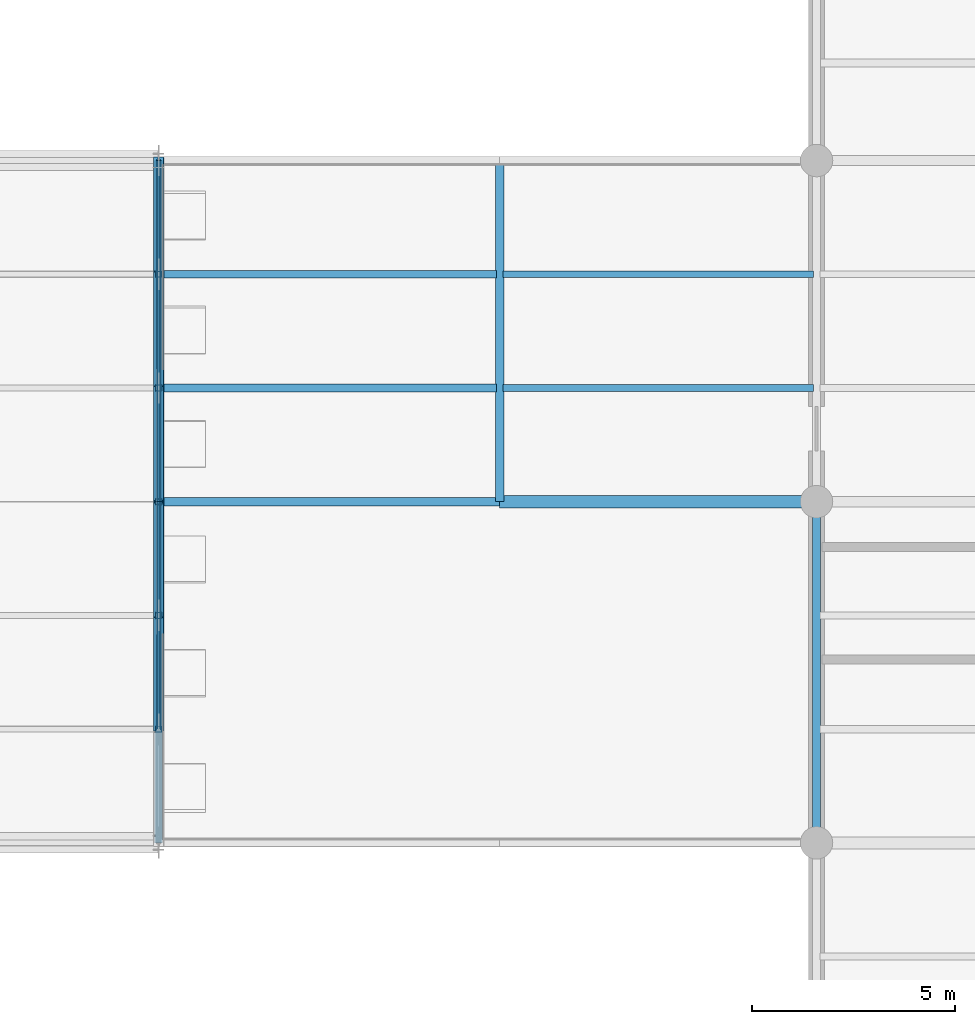
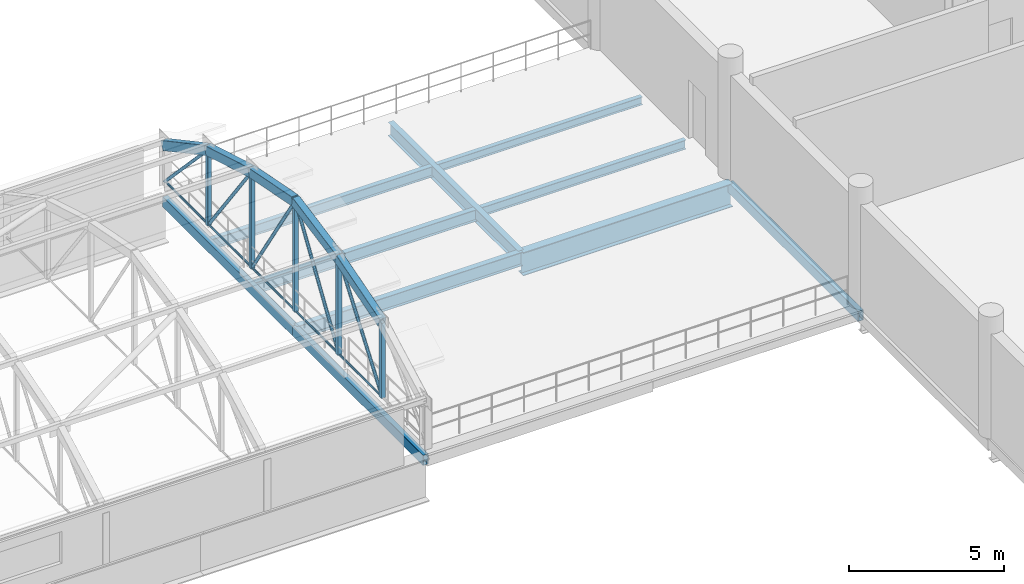
# One storey, part 48 of 109: 15 beams, 15 members.
"""IFC4 building model written with IfcOpenShell, lengths in metres."""

from ifc_helpers import new_model, si_unit, direction, frame, origin_with_axes, origin_2d_with_axis, place, context, subcontext, project, spatial, hollow_rectangle, circle, hollow_circle, i_section, extrude, material, material_profile, profile_set, type_object, element, save


model = new_model("IFC4")

# Units and contexts
model_context = context("Model", 3, precision=1e-05, world=origin_with_axes(), true_north=direction((0.0, 1.0)))
body_context = subcontext(model_context, "Body", "Model", "MODEL_VIEW")
ifc_project = project(units=[si_unit("LENGTHUNIT", "METRE"), si_unit("AREAUNIT", "SQUARE_METRE"), si_unit("VOLUMEUNIT", "CUBIC_METRE"), si_unit("PLANEANGLEUNIT", "RADIAN"), si_unit("MASSUNIT", "GRAM", prefix="KILO"), si_unit("THERMODYNAMICTEMPERATUREUNIT", "KELVIN")], contexts=[model_context])

# Site, building, storey
site_placement = place(None, origin_with_axes())
site = spatial("IfcSite", under=ifc_project, at=site_placement, CompositionType="ELEMENT")
building_placement = place(site_placement, origin_with_axes())
building = spatial("IfcBuilding", under=site, at=building_placement, Name="Montbau Bow Law Courts", CompositionType="ELEMENT")
storey_placement = place(building_placement, frame((0.0, 0.0, 10.8), z_axis=(0.0, 0.0, 1.0), x_axis=(1.0, 0.0, 0.0)))
storey = spatial("IfcBuildingStorey", under=building, at=storey_placement, Name="L02", CompositionType="ELEMENT", Elevation=10.8)

# Beams
ifc_material_1 = material(Name="Steel CSA G40.21 Grade 350WT (350 MPa)", Category="steel")
ifc_material_profile_1 = material_profile(ifc_material_1, hollow_rectangle(XDim=0.254, YDim=0.356, WallThickness=0.0127, InnerFilletRadius=0.0254, OuterFilletRadius=0.0127, at=origin_2d_with_axis()), Name="HSS356X254X13", Category="Main", Priority=0)
ifc_profile_set_1 = profile_set([ifc_material_profile_1], Name="Steel CSA G40.21 Grade 350WT (350 MPa)")
beam_type_1 = type_object("IfcBeamType", Name="B-ARC-01", PredefinedType="USERDEFINED", material=ifc_profile_set_1)
beam_1_placement = place(None, frame((105.6, 25.0, 14.005), z_axis=(0.0, 0.958856822, 0.283890109), x_axis=(-1.0, 0.0, 0.0)))
element("IfcBeam", 1, at=beam_1_placement, inside=storey, type_object=beam_type_1, Name="Barrel vault roof truss arch rib V4-092", ObjectType="ARCH_RIB", PredefinedType="USERDEFINED", context=body_context, shape_type="SweptSolid", body=[
    extrude(hollow_rectangle(XDim=0.254, YDim=0.356, WallThickness=0.0127, InnerFilletRadius=0.0254, OuterFilletRadius=0.0127, at=origin_2d_with_axis()), origin_with_axes(), (0.0, 0.0, 1.0), 2.920144),
])
for number, where, z_axis, x_axis, name in (
    (2, (105.6, 27.8, 14.834), (0.0, 0.981513084, 0.191395051), (-1.0, 0.0, 0.0), "Barrel vault roof truss arch rib V4-093"),
    (3, (105.6, 30.6, 15.38), (0.0, 0.981513084, -0.191395051), (-1.0, 0.0, 0.0), "Barrel vault roof truss arch rib V4-094"),
):
    element("IfcBeam", number, at=place(None, frame(where, z_axis=z_axis, x_axis=x_axis)), inside=storey, type_object=beam_type_1, Name=name, ObjectType="ARCH_RIB", PredefinedType="USERDEFINED", context=body_context, shape_type="SweptSolid", body=[
        extrude(hollow_rectangle(XDim=0.254, YDim=0.356, WallThickness=0.0127, InnerFilletRadius=0.0254, OuterFilletRadius=0.0127, at=origin_2d_with_axis()), origin_with_axes(), (0.0, 0.0, 1.0), 2.852738),
    ])
beam_2_placement = place(None, frame((105.6, 33.4, 14.834), z_axis=(0.0, 0.958856822, -0.283890109), x_axis=(-1.0, 0.0, 0.0)))
element("IfcBeam", 4, at=beam_2_placement, inside=storey, type_object=beam_type_1, Name="Barrel vault roof truss arch rib V4-095", ObjectType="ARCH_RIB", PredefinedType="USERDEFINED", context=body_context, shape_type="SweptSolid", body=[
    extrude(hollow_rectangle(XDim=0.254, YDim=0.356, WallThickness=0.0127, InnerFilletRadius=0.0254, OuterFilletRadius=0.0127, at=origin_2d_with_axis()), origin_with_axes(), (0.0, 0.0, 1.0), 2.920144),
])
beam_3_placement = place(None, frame((105.6, 36.2, 14.005), z_axis=(0.0, 0.880824397, -0.473443113), x_axis=(-1.0, 0.0, 0.0)))
element("IfcBeam", 5, at=beam_3_placement, inside=storey, type_object=beam_type_1, Name="Barrel vault roof truss arch rib V4-096", ObjectType="ARCH_RIB", PredefinedType="USERDEFINED", context=body_context, shape_type="SweptSolid", body=[
    extrude(hollow_rectangle(XDim=0.254, YDim=0.356, WallThickness=0.0127, InnerFilletRadius=0.0254, OuterFilletRadius=0.0127, at=origin_2d_with_axis()), origin_with_axes(), (0.0, 0.0, 1.0), 3.17884),
])
ifc_material_2 = material(Name="Steel CSA G40.21 Grade 350W (350 MPa)", Category="steel")
ifc_material_profile_2 = material_profile(ifc_material_2, i_section(OverallWidth=0.306, OverallDepth=0.919, WebThickness=0.0173, FlangeThickness=0.0279, at=origin_2d_with_axis()), Name="W920X253", Category="Main", Priority=0)
ifc_profile_set_2 = profile_set([ifc_material_profile_2], Name="Steel CSA G40.21 Grade 350W (350 MPa)")
beam_type_2 = type_object("IfcBeamType", Name="B-FLR-01", PredefinedType="BEAM", material=ifc_profile_set_2)
beam_4_placement = place(None, frame((114.0, 30.6, 10.021), z_axis=(1.0, 0.0, 0.0), x_axis=(0.0, 1.0, 0.0)))
element("IfcBeam", 6, at=beam_4_placement, inside=storey, type_object=beam_type_2, Name="BM-L02-S0480:bm2_0483", PredefinedType="BEAM", context=body_context, shape_type="SweptSolid", body=[
    extrude(i_section(OverallWidth=0.306, OverallDepth=0.919, WebThickness=0.0173, FlangeThickness=0.0279, at=origin_2d_with_axis()), origin_with_axes(), (0.0, 0.0, 1.0), 7.8),
])
ifc_material_profile_3 = material_profile(ifc_material_2, i_section(OverallWidth=0.21, OverallDepth=0.537, WebThickness=0.0109, FlangeThickness=0.0174, at=origin_2d_with_axis()), Name="W530X101", Category="Main", Priority=0)
ifc_profile_set_3 = profile_set([ifc_material_profile_3], Name="Steel CSA G40.21 Grade 350W (350 MPa)")
beam_type_3 = type_object("IfcBeamType", Name="B-FLR-06", PredefinedType="BEAM", material=ifc_profile_set_3)
for number, where, z_axis, x_axis, name in (
    (7, (105.6, 30.6, 10.212), (1.0, 0.0, 0.0), (0.0, 1.0, 0.0), "BM-L02-S0479:bm2_0482"),
    (8, (114.0, 30.6, 10.212), (0.0, 1.0, 0.0), (-1.0, 0.0, 0.0), "BM-L02-S0485:bm2_0488"),
):
    element("IfcBeam", number, at=place(None, frame(where, z_axis=z_axis, x_axis=x_axis)), inside=storey, type_object=beam_type_3, Name=name, PredefinedType="BEAM", context=body_context, shape_type="SweptSolid", body=[
        extrude(i_section(OverallWidth=0.21, OverallDepth=0.537, WebThickness=0.0109, FlangeThickness=0.0174, at=origin_2d_with_axis()), origin_with_axes(), (0.0, 0.0, 1.0), 8.4),
    ])
ifc_material_profile_4 = material_profile(ifc_material_2, i_section(OverallWidth=0.191, OverallDepth=0.46, WebThickness=0.0099, FlangeThickness=0.016, at=origin_2d_with_axis()), Name="W460X82", Category="Main", Priority=0)
ifc_profile_set_4 = profile_set([ifc_material_profile_4], Name="Steel CSA G40.21 Grade 350W (350 MPa)")
beam_type_4 = type_object("IfcBeamType", Name="B-JST-01", PredefinedType="JOIST", material=ifc_profile_set_4)
beam_5_placement = place(None, frame((105.68, 33.4, 10.25), z_axis=(1.0, 0.0, 0.0), x_axis=(0.0, 1.0, 0.0)))
element("IfcBeam", 9, at=beam_5_placement, inside=storey, type_object=beam_type_4, Name="JST-L02-S0232:jst2_0232", PredefinedType="JOIST", context=body_context, shape_type="SweptSolid", body=[
    extrude(i_section(OverallWidth=0.191, OverallDepth=0.46, WebThickness=0.0099, FlangeThickness=0.016, at=origin_2d_with_axis()), origin_with_axes(), (0.0, 0.0, 1.0), 8.239),
])
ifc_material_profile_5 = material_profile(ifc_material_2, i_section(OverallWidth=0.179, OverallDepth=0.41, WebThickness=0.0088, FlangeThickness=0.0144, at=origin_2d_with_axis()), Name="W410X67", Category="Main", Priority=0)
ifc_profile_set_5 = profile_set([ifc_material_profile_5], Name="Steel CSA G40.21 Grade 350W (350 MPa)")
beam_type_5 = type_object("IfcBeamType", Name="B-JST-02", PredefinedType="JOIST", material=ifc_profile_set_5)
beam_6_placement = place(None, frame((105.68, 36.2, 10.275), z_axis=(1.0, 0.0, 0.0), x_axis=(0.0, 1.0, 0.0)))
element("IfcBeam", 10, at=beam_6_placement, inside=storey, type_object=beam_type_5, Name="JST-L02-S0233:jst2_0233", PredefinedType="JOIST", context=body_context, shape_type="SweptSolid", body=[
    extrude(i_section(OverallWidth=0.179, OverallDepth=0.41, WebThickness=0.0088, FlangeThickness=0.0144, at=origin_2d_with_axis()), origin_with_axes(), (0.0, 0.0, 1.0), 8.239),
])
ifc_material_profile_6 = material_profile(ifc_material_2, i_section(OverallWidth=0.172, OverallDepth=0.358, WebThickness=0.0079, FlangeThickness=0.0131, at=origin_2d_with_axis()), Name="W360X57", Category="Main", Priority=0)
ifc_profile_set_6 = profile_set([ifc_material_profile_6], Name="Steel CSA G40.21 Grade 350W (350 MPa)")
beam_type_6 = type_object("IfcBeamType", Name="B-JST-03", PredefinedType="JOIST", material=ifc_profile_set_6)
beam_7_placement = place(None, frame((114.081, 33.4, 10.301), z_axis=(1.0, 0.0, 0.0), x_axis=(0.0, 1.0, 0.0)))
element("IfcBeam", 11, at=beam_7_placement, inside=storey, type_object=beam_type_6, Name="JST-L02-S0234:jst2_0234", PredefinedType="JOIST", context=body_context, shape_type="SweptSolid", body=[
    extrude(i_section(OverallWidth=0.172, OverallDepth=0.358, WebThickness=0.0079, FlangeThickness=0.0131, at=origin_2d_with_axis()), origin_with_axes(), (0.0, 0.0, 1.0), 7.639),
])
ifc_material_profile_7 = material_profile(ifc_material_2, i_section(OverallWidth=0.166, OverallDepth=0.313, WebThickness=0.0066, FlangeThickness=0.0112, at=origin_2d_with_axis()), Name="W310X45", Category="Main", Priority=0)
ifc_profile_set_7 = profile_set([ifc_material_profile_7], Name="Steel CSA G40.21 Grade 350W (350 MPa)")
beam_type_7 = type_object("IfcBeamType", Name="B-JST-04", PredefinedType="JOIST", material=ifc_profile_set_7)
beam_8_placement = place(None, frame((114.081, 36.2, 10.324), z_axis=(1.0, 0.0, 0.0), x_axis=(0.0, 1.0, 0.0)))
element("IfcBeam", 12, at=beam_8_placement, inside=storey, type_object=beam_type_7, Name="JST-L02-S0235:jst2_0235", PredefinedType="JOIST", context=body_context, shape_type="SweptSolid", body=[
    extrude(i_section(OverallWidth=0.166, OverallDepth=0.313, WebThickness=0.0066, FlangeThickness=0.0112, at=origin_2d_with_axis()), origin_with_axes(), (0.0, 0.0, 1.0), 7.639),
])
ifc_material_profile_8 = material_profile(ifc_material_1, hollow_rectangle(XDim=0.203, YDim=0.406, WallThickness=0.0127, InnerFilletRadius=0.0254, OuterFilletRadius=0.0127, at=origin_2d_with_axis()), Name="HSS406X203X13", Category="Main", Priority=0)
ifc_profile_set_8 = profile_set([ifc_material_profile_8], Name="Steel CSA G40.21 Grade 350WT (350 MPa)")
beam_type_8 = type_object("IfcBeamType", Name="B-SPN-01", PredefinedType="SPANDREL", material=ifc_profile_set_8)
for number, where, z_axis, x_axis, name in (
    (13, (105.6, 22.2, 10.277), (0.0, 1.0, 0.0), (-1.0, 0.0, 0.0), "SPN-L02-S0483:bm2_0486"),
    (14, (105.6, 30.6, 10.277), (0.0, 1.0, 0.0), (-1.0, 0.0, 0.0), "SPN-L02-S0484:bm2_0487"),
    (15, (121.8, 22.2, 10.277), (0.0, 1.0, 0.0), (-1.0, 0.0, 0.0), "SPN-L02-S0486:bm2_0489"),
):
    element("IfcBeam", number, at=place(None, frame(where, z_axis=z_axis, x_axis=x_axis)), inside=storey, type_object=beam_type_8, Name=name, PredefinedType="SPANDREL", context=body_context, shape_type="SweptSolid", body=[
        extrude(hollow_rectangle(XDim=0.203, YDim=0.406, WallThickness=0.0127, InnerFilletRadius=0.0254, OuterFilletRadius=0.0127, at=origin_2d_with_axis()), origin_with_axes(), (0.0, 0.0, 1.0), 8.4),
    ])

# Members
ifc_material_profile_9 = material_profile(ifc_material_1, hollow_rectangle(XDim=0.152, YDim=0.152, WallThickness=0.0095, InnerFilletRadius=0.019, OuterFilletRadius=0.0095, at=origin_2d_with_axis()), Name="HSS152X152X9.5", Category="Main", Priority=0)
ifc_profile_set_9 = profile_set([ifc_material_profile_9], Name="Steel CSA G40.21 Grade 350WT (350 MPa)")
member_type_1 = type_object("IfcMemberType", Name="M-STR-02", PredefinedType="STRUT", material=ifc_profile_set_9)
member_1_placement = place(None, frame((105.6, 25.0, 11.05), z_axis=(0.0, 0.0, 1.0), x_axis=(1.0, 0.0, 0.0)))
element("IfcMember", 16, at=member_1_placement, inside=storey, type_object=member_type_1, Name="Barrel vault roof truss web post V4-08-1", PredefinedType="STRUT", context=body_context, shape_type="SweptSolid", body=[
    extrude(hollow_rectangle(XDim=0.152, YDim=0.152, WallThickness=0.0095, InnerFilletRadius=0.019, OuterFilletRadius=0.0095, at=origin_2d_with_axis()), origin_with_axes(), (0.0, 0.0, 1.0), 2.955),
])
member_2_placement = place(None, frame((105.6, 27.8, 11.05), z_axis=(0.0, 0.0, 1.0), x_axis=(1.0, 0.0, 0.0)))
element("IfcMember", 17, at=member_2_placement, inside=storey, type_object=member_type_1, Name="Barrel vault roof truss web post V4-08-2", PredefinedType="STRUT", context=body_context, shape_type="SweptSolid", body=[
    extrude(hollow_rectangle(XDim=0.152, YDim=0.152, WallThickness=0.0095, InnerFilletRadius=0.019, OuterFilletRadius=0.0095, at=origin_2d_with_axis()), origin_with_axes(), (0.0, 0.0, 1.0), 3.784),
])
member_3_placement = place(None, frame((105.6, 30.6, 11.05), z_axis=(0.0, 0.0, 1.0), x_axis=(1.0, 0.0, 0.0)))
element("IfcMember", 18, at=member_3_placement, inside=storey, type_object=member_type_1, Name="Barrel vault roof truss web post V4-08-3", PredefinedType="STRUT", context=body_context, shape_type="SweptSolid", body=[
    extrude(hollow_rectangle(XDim=0.152, YDim=0.152, WallThickness=0.0095, InnerFilletRadius=0.019, OuterFilletRadius=0.0095, at=origin_2d_with_axis()), origin_with_axes(), (0.0, 0.0, 1.0), 4.33),
])
member_4_placement = place(None, frame((105.6, 33.4, 11.05), z_axis=(0.0, 0.0, 1.0), x_axis=(1.0, 0.0, 0.0)))
element("IfcMember", 19, at=member_4_placement, inside=storey, type_object=member_type_1, Name="Barrel vault roof truss web post V4-08-4", PredefinedType="STRUT", context=body_context, shape_type="SweptSolid", body=[
    extrude(hollow_rectangle(XDim=0.152, YDim=0.152, WallThickness=0.0095, InnerFilletRadius=0.019, OuterFilletRadius=0.0095, at=origin_2d_with_axis()), origin_with_axes(), (0.0, 0.0, 1.0), 3.784),
])
member_5_placement = place(None, frame((105.6, 36.2, 11.05), z_axis=(0.0, 0.0, 1.0), x_axis=(1.0, 0.0, 0.0)))
element("IfcMember", 20, at=member_5_placement, inside=storey, type_object=member_type_1, Name="Barrel vault roof truss web post V4-08-5", PredefinedType="STRUT", context=body_context, shape_type="SweptSolid", body=[
    extrude(hollow_rectangle(XDim=0.152, YDim=0.152, WallThickness=0.0095, InnerFilletRadius=0.019, OuterFilletRadius=0.0095, at=origin_2d_with_axis()), origin_with_axes(), (0.0, 0.0, 1.0), 2.955),
])
ifc_material_profile_10 = material_profile(ifc_material_1, hollow_circle(Radius=0.057, WallThickness=0.008, at=origin_2d_with_axis()), Name="HSS114X8.0", Category="Main", Priority=0)
ifc_profile_set_10 = profile_set([ifc_material_profile_10], Name="Steel CSA G40.21 Grade 350WT (350 MPa)")
member_type_2 = type_object("IfcMemberType", Name="M-STR-03", PredefinedType="STRUT", material=ifc_profile_set_10)
member_6_placement = place(None, frame((105.6, 25.0, 11.05), z_axis=(0.0, 0.594821042, 0.803858151), x_axis=(-1.0, 0.0, 0.0)))
element("IfcMember", 21, at=member_6_placement, inside=storey, type_object=member_type_2, Name="Barrel vault roof truss web diagonal V4-08-2", PredefinedType="STRUT", context=body_context, shape_type="SweptSolid", body=[
    extrude(hollow_circle(Radius=0.057, WallThickness=0.008, at=origin_2d_with_axis()), origin_with_axes(), (0.0, 0.0, 1.0), 4.707298),
])
for number, where, z_axis, x_axis, name in (
    (22, (105.6, 27.8, 11.05), (0.0, 0.543010023, 0.839726214), (-1.0, 0.0, 0.0), "Barrel vault roof truss web diagonal V4-08-3"),
    (23, (105.6, 30.6, 15.38), (0.0, 0.543010023, -0.839726214), (-1.0, 0.0, 0.0), "Barrel vault roof truss web diagonal V4-08-4"),
):
    element("IfcMember", number, at=place(None, frame(where, z_axis=z_axis, x_axis=x_axis)), inside=storey, type_object=member_type_2, Name=name, PredefinedType="STRUT", context=body_context, shape_type="SweptSolid", body=[
        extrude(hollow_circle(Radius=0.057, WallThickness=0.008, at=origin_2d_with_axis()), origin_with_axes(), (0.0, 0.0, 1.0), 5.156443),
    ])
member_7_placement = place(None, frame((105.6, 33.4, 14.834), z_axis=(0.0, 0.594821042, -0.803858151), x_axis=(-1.0, 0.0, 0.0)))
element("IfcMember", 24, at=member_7_placement, inside=storey, type_object=member_type_2, Name="Barrel vault roof truss web diagonal V4-08-5", PredefinedType="STRUT", context=body_context, shape_type="SweptSolid", body=[
    extrude(hollow_circle(Radius=0.057, WallThickness=0.008, at=origin_2d_with_axis()), origin_with_axes(), (0.0, 0.0, 1.0), 4.707298),
])
member_8_placement = place(None, frame((105.6, 36.2, 14.005), z_axis=(0.0, 0.687812781, -0.725888131), x_axis=(-1.0, 0.0, 0.0)))
element("IfcMember", 25, at=member_8_placement, inside=storey, type_object=member_type_2, Name="Barrel vault roof truss web diagonal V4-08-6", PredefinedType="STRUT", context=body_context, shape_type="SweptSolid", body=[
    extrude(hollow_circle(Radius=0.057, WallThickness=0.008, at=origin_2d_with_axis()), origin_with_axes(), (0.0, 0.0, 1.0), 4.070875),
])
ifc_material_profile_11 = material_profile(ifc_material_1, circle(Radius=0.038, at=origin_2d_with_axis()), Name="ROD76", Category="Main", Priority=0)
ifc_profile_set_11 = profile_set([ifc_material_profile_11], Name="Steel CSA G40.21 Grade 350WT (350 MPa)")
member_type_3 = type_object("IfcMemberType", Name="M-TIE-01", PredefinedType="USERDEFINED", material=ifc_profile_set_11)
for number, where, z_axis, x_axis, name in (
    (26, (105.6, 25.0, 11.05), (0.0, 1.0, 0.0), (-1.0, 0.0, 0.0), "Barrel vault roof truss tie V4-092"),
    (27, (105.6, 27.8, 11.05), (0.0, 1.0, 0.0), (-1.0, 0.0, 0.0), "Barrel vault roof truss tie V4-093"),
    (28, (105.6, 30.6, 11.05), (0.0, 1.0, 0.0), (-1.0, 0.0, 0.0), "Barrel vault roof truss tie V4-094"),
    (29, (105.6, 33.4, 11.05), (0.0, 1.0, 0.0), (-1.0, 0.0, 0.0), "Barrel vault roof truss tie V4-095"),
    (30, (105.6, 36.2, 11.05), (0.0, 1.0, 0.0), (-1.0, 0.0, 0.0), "Barrel vault roof truss tie V4-096"),
):
    element("IfcMember", number, at=place(None, frame(where, z_axis=z_axis, x_axis=x_axis)), inside=storey, type_object=member_type_3, Name=name, ObjectType="TIEBAR", PredefinedType="USERDEFINED", context=body_context, shape_type="SweptSolid", body=[
        extrude(circle(Radius=0.038, at=origin_2d_with_axis()), origin_with_axes(), (0.0, 0.0, 1.0), 2.8),
    ])

save(model, "model.ifc")
